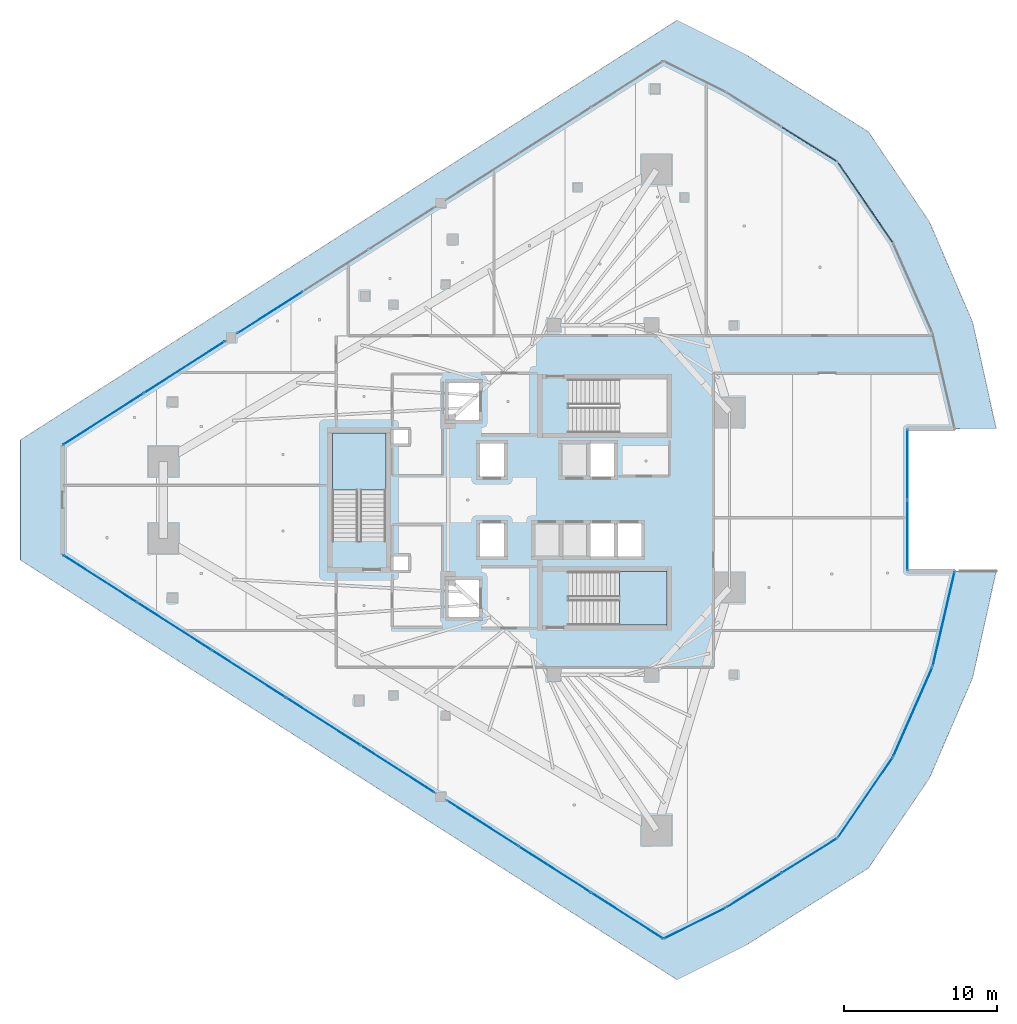
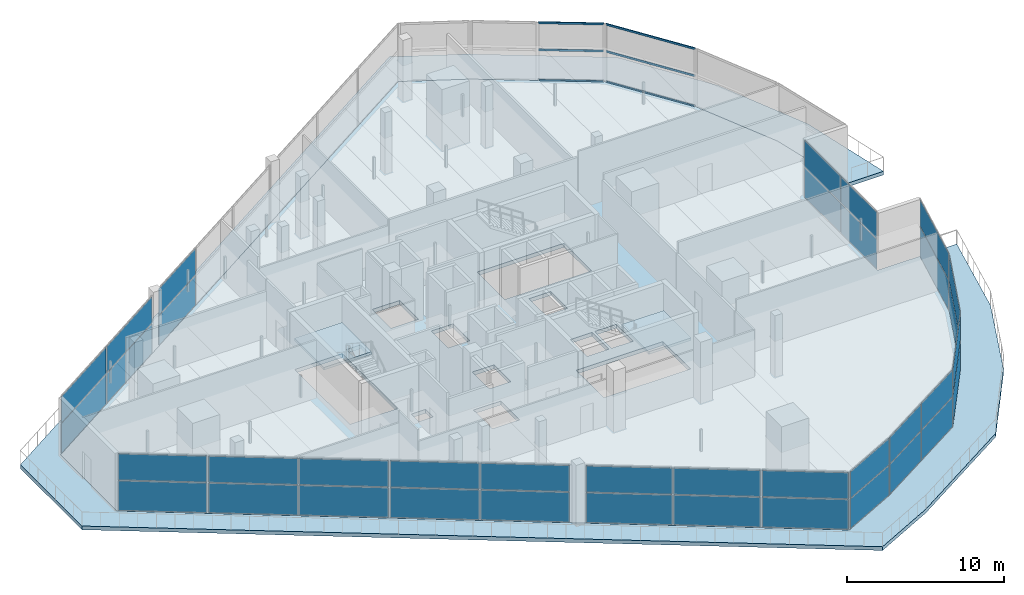
# One storey, part 22 of 36: 38 plates, 6 members, 4 slabs, 14 elements without a shape of their own.
"""IFC4 building model written with IfcOpenShell, lengths in metres."""

from ifc_helpers import new_model, si_unit, direction, frame, origin, origin_2d, place, context, subcontext, project, spatial, polyline, rectangle, hollow_rectangle, outline, extrude, material, layer, layer_set, material_profile, profile_set, type_object, element, aggregate, save


model = new_model("IFC4")

# Units and contexts
model_context = context("Model", 3, precision=1e-05, world=origin(), true_north=direction((0.0, 1.0)))
body_context = subcontext(model_context, "Body", "Model", "MODEL_VIEW")
ifc_project = project(units=[si_unit("LENGTHUNIT", "METRE"), si_unit("AREAUNIT", "SQUARE_METRE"), si_unit("VOLUMEUNIT", "CUBIC_METRE"), si_unit("PLANEANGLEUNIT", "RADIAN"), si_unit("MASSUNIT", "GRAM", prefix="KILO")], contexts=[model_context])

# Site, building, storey
site_placement = place(None, origin())
site = spatial("IfcSite", under=ifc_project, at=site_placement, CompositionType="ELEMENT")
building_placement = place(site_placement, origin())
building = spatial("IfcBuilding", under=site, at=building_placement, Name="Qorvath Tower", CompositionType="ELEMENT")
storey_placement = place(building_placement, frame((0.0, 0.0, 180.0)))
storey = spatial("IfcBuildingStorey", under=building, at=storey_placement, Name="L41", CompositionType="ELEMENT", Elevation=180.0)

# Curtain wall, members
ifc_material_1 = material(Name="Anodised aluminium and triple low-E glass", Category="aluminium")
ifc_layer_1 = layer(ifc_material_1, 0.179931640625)
ifc_layer_set_1 = layer_set([ifc_layer_1], Name="CW-SYS-5")
curtain_wall_type = type_object("IfcCurtainWallType", Name="CW-SYS-5", PredefinedType="NOTDEFINED", material=ifc_layer_set_1)
curtain_wall_1_placement = place(storey_placement, origin())
curtain_wall_1 = element("IfcCurtainWall", 1, at=curtain_wall_1_placement, inside=storey, type_object=curtain_wall_type, Name="Curtain Wall CW-5 CW-T-L41-13.1", PredefinedType="NOTDEFINED")
ifc_material_2 = material(Name="Anodised aluminium 6063-T6", Category="aluminium")
ifc_material_profile = material_profile(ifc_material_2, hollow_rectangle(XDim=0.06494140625, YDim=0.159912109375, WallThickness=0.00341796875, InnerFilletRadius=0.00341796875, OuterFilletRadius=0.007080078125, at=origin_2d()), Name="CWT 160x65")
ifc_profile_set = profile_set([ifc_material_profile], Name="Anodised aluminium 6063-T6")
member_type = type_object("IfcMemberType", Name="CWT-160", PredefinedType="USERDEFINED", material=ifc_profile_set)
member_1_placement = place(storey_placement, frame((-1.420654296875, 16.89453125, 0.032470703125), z_axis=(-0.564409705697, 0.825494811683, 0.0), x_axis=(-0.825494811683, -0.564409705697, 0.0)))
member_1 = element("IfcMember", 2, at=member_1_placement, type_object=member_type, Name="CW-5 transom 1.1", ObjectType="TRANSOM", PredefinedType="USERDEFINED", context=body_context, shape_type="SweptSolid", body=[
    extrude(hollow_rectangle(XDim=0.06494140625, YDim=0.159912109375, WallThickness=0.00341796875, InnerFilletRadius=0.00341796875, OuterFilletRadius=0.007080078125, at=origin_2d()), origin(), (0.0, 0.0, 1.0), 6.28857421875),
])
member_2_placement = place(storey_placement, frame((-1.420654296875, 16.89453125, 2.39990234375), z_axis=(-0.564409705697, 0.825494811683, 0.0), x_axis=(-0.825494811683, -0.564409705697, 0.0)))
member_2 = element("IfcMember", 3, at=member_2_placement, type_object=member_type, Name="CW-5 transom 1.2", ObjectType="TRANSOM", PredefinedType="USERDEFINED", context=body_context, shape_type="SweptSolid", body=[
    extrude(hollow_rectangle(XDim=0.06494140625, YDim=0.159912109375, WallThickness=0.00341796875, InnerFilletRadius=0.00341796875, OuterFilletRadius=0.007080078125, at=origin_2d()), origin(), (0.0, 0.0, 1.0), 6.28857421875),
])
member_3_placement = place(storey_placement, frame((-1.420654296875, 16.89453125, 4.49755859375), z_axis=(-0.564409705697, 0.825494811683, 0.0), x_axis=(-0.825494811683, -0.564409705697, 0.0)))
member_3 = element("IfcMember", 4, at=member_3_placement, type_object=member_type, Name="CW-5 transom 1.3", ObjectType="TRANSOM", PredefinedType="USERDEFINED", context=body_context, shape_type="SweptSolid", body=[
    extrude(hollow_rectangle(XDim=0.06494140625, YDim=0.159912109375, WallThickness=0.00341796875, InnerFilletRadius=0.00341796875, OuterFilletRadius=0.007080078125, at=origin_2d()), origin(), (0.0, 0.0, 1.0), 6.28857421875),
])
aggregate(curtain_wall_1, [member_1, member_2, member_3])

curtain_wall_2_placement = place(storey_placement, origin())
curtain_wall_2 = element("IfcCurtainWall", 5, at=curtain_wall_2_placement, inside=storey, type_object=curtain_wall_type, Name="Curtain Wall CW-5 CW-T-L41-14.1", PredefinedType="NOTDEFINED")
member_4_placement = place(storey_placement, frame((-5.075927734375, 22.187255859375, 0.032470703125), z_axis=(-0.848427140376, 0.529312183378, 0.0), x_axis=(-0.529312183378, -0.848427140376, 0.0)))
member_4 = element("IfcMember", 6, at=member_4_placement, type_object=member_type, Name="CW-5 transom 1.1", ObjectType="TRANSOM", PredefinedType="USERDEFINED", context=body_context, shape_type="SweptSolid", body=[
    extrude(hollow_rectangle(XDim=0.06494140625, YDim=0.159912109375, WallThickness=0.00341796875, InnerFilletRadius=0.00341796875, OuterFilletRadius=0.007080078125, at=origin_2d()), origin(), (0.0, 0.0, 1.0), 4.187255859375),
])
member_5_placement = place(storey_placement, frame((-5.075927734375, 22.187255859375, 2.39990234375), z_axis=(-0.848427140376, 0.529312183378, 0.0), x_axis=(-0.529312183378, -0.848427140376, 0.0)))
member_5 = element("IfcMember", 7, at=member_5_placement, type_object=member_type, Name="CW-5 transom 1.2", ObjectType="TRANSOM", PredefinedType="USERDEFINED", context=body_context, shape_type="SweptSolid", body=[
    extrude(hollow_rectangle(XDim=0.06494140625, YDim=0.159912109375, WallThickness=0.00341796875, InnerFilletRadius=0.00341796875, OuterFilletRadius=0.007080078125, at=origin_2d()), origin(), (0.0, 0.0, 1.0), 4.187255859375),
])
member_6_placement = place(storey_placement, frame((-5.075927734375, 22.187255859375, 4.49755859375), z_axis=(-0.848427140376, 0.529312183378, 0.0), x_axis=(-0.529312183378, -0.848427140376, 0.0)))
member_6 = element("IfcMember", 8, at=member_6_placement, type_object=member_type, Name="CW-5 transom 1.3", ObjectType="TRANSOM", PredefinedType="USERDEFINED", context=body_context, shape_type="SweptSolid", body=[
    extrude(hollow_rectangle(XDim=0.06494140625, YDim=0.159912109375, WallThickness=0.00341796875, InnerFilletRadius=0.00341796875, OuterFilletRadius=0.007080078125, at=origin_2d()), origin(), (0.0, 0.0, 1.0), 4.187255859375),
])
aggregate(curtain_wall_2, [member_4, member_5, member_6])

# Curtain wall, plates
curtain_wall_3_placement = place(storey_placement, origin())
curtain_wall_3 = element("IfcCurtainWall", 9, at=curtain_wall_3_placement, inside=storey, type_object=curtain_wall_type, Name="Curtain Wall CW-5 CW-T-L41-2.1", PredefinedType="NOTDEFINED")
ifc_material_3 = material(Name="Low-E triple insulated glass", Category="glass")
ifc_layer_2 = layer(ifc_material_3, 0.031982421875)
ifc_layer_set_2 = layer_set([ifc_layer_2], Name="CWP-GLZ-32")
plate_type = type_object("IfcPlateType", Name="CWP-GLZ-32", PredefinedType="CURTAIN_PANEL", material=ifc_layer_set_2)
plate_1_placement = place(storey_placement, frame((-53.32470703125, -5.1630859375, 0.06494140625), z_axis=(0.0, 0.0, 1.0), x_axis=(0.842604220747, -0.538533311115, 0.0)))
plate_1 = element("IfcPlate", 10, at=plate_1_placement, type_object=plate_type, Name="CW-5 panel 1.1", PredefinedType="CURTAIN_PANEL", context=body_context, shape_type="SweptSolid", body=[
    extrude(rectangle(XDim=5.677490234375, YDim=0.031982421875, at=origin_2d()), origin(), (0.0, 0.0, 1.0), 2.302490234375),
])
plate_2_placement = place(storey_placement, frame((-53.32470703125, -5.1630859375, 2.432373046875), z_axis=(0.0, 0.0, 1.0), x_axis=(0.842604220747, -0.538533311115, 0.0)))
plate_2 = element("IfcPlate", 11, at=plate_2_placement, type_object=plate_type, Name="CW-5 panel 1.2", PredefinedType="CURTAIN_PANEL", context=body_context, shape_type="SweptSolid", body=[
    extrude(rectangle(XDim=5.677490234375, YDim=0.031982421875, at=origin_2d()), origin(), (0.0, 0.0, 1.0), 2.03271484375),
])
plate_3_placement = place(storey_placement, frame((-48.461669921875, -8.271240234375, 0.06494140625), z_axis=(0.0, 0.0, 1.0), x_axis=(0.842604220747, -0.538533311115, 0.0)))
plate_3 = element("IfcPlate", 12, at=plate_3_placement, type_object=plate_type, Name="CW-5 panel 2.1", PredefinedType="CURTAIN_PANEL", context=body_context, shape_type="SweptSolid", body=[
    extrude(rectangle(XDim=5.715087890625, YDim=0.031982421875, at=origin_2d()), origin(), (0.0, 0.0, 1.0), 2.302490234375),
])
plate_4_placement = place(storey_placement, frame((-48.461669921875, -8.271240234375, 2.432373046875), z_axis=(0.0, 0.0, 1.0), x_axis=(0.842604220747, -0.538533311115, 0.0)))
plate_4 = element("IfcPlate", 13, at=plate_4_placement, type_object=plate_type, Name="CW-5 panel 2.2", PredefinedType="CURTAIN_PANEL", context=body_context, shape_type="SweptSolid", body=[
    extrude(rectangle(XDim=5.715087890625, YDim=0.031982421875, at=origin_2d()), origin(), (0.0, 0.0, 1.0), 2.03271484375),
])
plate_5_placement = place(storey_placement, frame((-43.5830078125, -11.389404296875, 0.06494140625), z_axis=(0.0, 0.0, 1.0), x_axis=(0.842604220747, -0.538533311115, 0.0)))
plate_5 = element("IfcPlate", 14, at=plate_5_placement, type_object=plate_type, Name="CW-5 panel 3.1", PredefinedType="CURTAIN_PANEL", context=body_context, shape_type="SweptSolid", body=[
    extrude(rectangle(XDim=5.715087890625, YDim=0.031982421875, at=origin_2d()), origin(), (0.0, 0.0, 1.0), 2.302490234375),
])
plate_6_placement = place(storey_placement, frame((-43.5830078125, -11.389404296875, 2.432373046875), z_axis=(0.0, 0.0, 1.0), x_axis=(0.842604220747, -0.538533311115, 0.0)))
plate_6 = element("IfcPlate", 15, at=plate_6_placement, type_object=plate_type, Name="CW-5 panel 3.2", PredefinedType="CURTAIN_PANEL", context=body_context, shape_type="SweptSolid", body=[
    extrude(rectangle(XDim=5.715087890625, YDim=0.031982421875, at=origin_2d()), origin(), (0.0, 0.0, 1.0), 2.03271484375),
])
plate_7_placement = place(storey_placement, frame((-38.7041015625, -14.507568359375, 0.06494140625), z_axis=(0.0, 0.0, 1.0), x_axis=(0.842604220747, -0.538533311115, 0.0)))
plate_7 = element("IfcPlate", 16, at=plate_7_placement, type_object=plate_type, Name="CW-5 panel 4.1", PredefinedType="CURTAIN_PANEL", context=body_context, shape_type="SweptSolid", body=[
    extrude(rectangle(XDim=5.715087890625, YDim=0.031982421875, at=origin_2d()), origin(), (0.0, 0.0, 1.0), 2.302490234375),
])
plate_8_placement = place(storey_placement, frame((-38.7041015625, -14.507568359375, 2.432373046875), z_axis=(0.0, 0.0, 1.0), x_axis=(0.842604220747, -0.538533311115, 0.0)))
plate_8 = element("IfcPlate", 17, at=plate_8_placement, type_object=plate_type, Name="CW-5 panel 4.2", PredefinedType="CURTAIN_PANEL", context=body_context, shape_type="SweptSolid", body=[
    extrude(rectangle(XDim=5.715087890625, YDim=0.031982421875, at=origin_2d()), origin(), (0.0, 0.0, 1.0), 2.03271484375),
])
plate_9_placement = place(storey_placement, frame((-33.841064453125, -17.61572265625, 0.06494140625), z_axis=(0.0, 0.0, 1.0), x_axis=(0.842604220747, -0.538533311115, 0.0)))
plate_9 = element("IfcPlate", 18, at=plate_9_placement, type_object=plate_type, Name="CW-5 panel 5.1", PredefinedType="CURTAIN_PANEL", context=body_context, shape_type="SweptSolid", body=[
    extrude(rectangle(XDim=5.677490234375, YDim=0.031982421875, at=origin_2d()), origin(), (0.0, 0.0, 1.0), 2.302490234375),
])
plate_10_placement = place(storey_placement, frame((-33.841064453125, -17.61572265625, 2.432373046875), z_axis=(0.0, 0.0, 1.0), x_axis=(0.842604220747, -0.538533311115, 0.0)))
plate_10 = element("IfcPlate", 19, at=plate_10_placement, type_object=plate_type, Name="CW-5 panel 5.2", PredefinedType="CURTAIN_PANEL", context=body_context, shape_type="SweptSolid", body=[
    extrude(rectangle(XDim=5.677490234375, YDim=0.031982421875, at=origin_2d()), origin(), (0.0, 0.0, 1.0), 2.03271484375),
])
aggregate(curtain_wall_3, [plate_1, plate_2, plate_3, plate_4, plate_5, plate_6, plate_7, plate_8, plate_9, plate_10])

curtain_wall_4_placement = place(storey_placement, origin())
curtain_wall_4 = element("IfcCurtainWall", 20, at=curtain_wall_4_placement, inside=storey, type_object=curtain_wall_type, Name="Curtain Wall CW-5 CW-T-L41-2.2", PredefinedType="NOTDEFINED")
plate_11_placement = place(storey_placement, frame((-28.258544921875, -21.18359375, 0.06494140625), z_axis=(0.0, 0.0, 1.0), x_axis=(0.842597295183, -0.538544146891, 0.0)))
plate_11 = element("IfcPlate", 21, at=plate_11_placement, type_object=plate_type, Name="CW-5 panel 1.1", PredefinedType="CURTAIN_PANEL", context=body_context, shape_type="SweptSolid", body=[
    extrude(rectangle(XDim=5.51708984375, YDim=0.031982421875, at=origin_2d()), origin(), (0.0, 0.0, 1.0), 2.302490234375),
])
plate_12_placement = place(storey_placement, frame((-28.258544921875, -21.18359375, 2.432373046875), z_axis=(0.0, 0.0, 1.0), x_axis=(0.842597295183, -0.538544146891, 0.0)))
plate_12 = element("IfcPlate", 22, at=plate_12_placement, type_object=plate_type, Name="CW-5 panel 1.2", PredefinedType="CURTAIN_PANEL", context=body_context, shape_type="SweptSolid", body=[
    extrude(rectangle(XDim=5.51708984375, YDim=0.031982421875, at=origin_2d()), origin(), (0.0, 0.0, 1.0), 2.03271484375),
])
plate_13_placement = place(storey_placement, frame((-23.531005859375, -24.205322265625, 0.06494140625), z_axis=(0.0, 0.0, 1.0), x_axis=(0.842597295183, -0.538544146891, 0.0)))
plate_13 = element("IfcPlate", 23, at=plate_13_placement, type_object=plate_type, Name="CW-5 panel 2.1", PredefinedType="CURTAIN_PANEL", context=body_context, shape_type="SweptSolid", body=[
    extrude(rectangle(XDim=5.554443359375, YDim=0.031982421875, at=origin_2d()), origin(), (0.0, 0.0, 1.0), 2.302490234375),
])
plate_14_placement = place(storey_placement, frame((-23.531005859375, -24.205322265625, 2.432373046875), z_axis=(0.0, 0.0, 1.0), x_axis=(0.842597295183, -0.538544146891, 0.0)))
plate_14 = element("IfcPlate", 24, at=plate_14_placement, type_object=plate_type, Name="CW-5 panel 2.2", PredefinedType="CURTAIN_PANEL", context=body_context, shape_type="SweptSolid", body=[
    extrude(rectangle(XDim=5.554443359375, YDim=0.031982421875, at=origin_2d()), origin(), (0.0, 0.0, 1.0), 2.03271484375),
])
plate_15_placement = place(storey_placement, frame((-18.80322265625, -27.22705078125, 0.06494140625), z_axis=(0.0, 0.0, 1.0), x_axis=(0.842597295183, -0.538544146891, 0.0)))
plate_15 = element("IfcPlate", 25, at=plate_15_placement, type_object=plate_type, Name="CW-5 panel 3.1", PredefinedType="CURTAIN_PANEL", context=body_context, shape_type="SweptSolid", body=[
    extrude(rectangle(XDim=5.51708984375, YDim=0.031982421875, at=origin_2d()), origin(), (0.0, 0.0, 1.0), 2.302490234375),
])
plate_16_placement = place(storey_placement, frame((-18.80322265625, -27.22705078125, 2.432373046875), z_axis=(0.0, 0.0, 1.0), x_axis=(0.842597295183, -0.538544146891, 0.0)))
plate_16 = element("IfcPlate", 26, at=plate_16_placement, type_object=plate_type, Name="CW-5 panel 3.2", PredefinedType="CURTAIN_PANEL", context=body_context, shape_type="SweptSolid", body=[
    extrude(rectangle(XDim=5.51708984375, YDim=0.031982421875, at=origin_2d()), origin(), (0.0, 0.0, 1.0), 2.03271484375),
])
aggregate(curtain_wall_4, [plate_11, plate_12, plate_13, plate_14, plate_15, plate_16])

curtain_wall_5_placement = place(storey_placement, origin())
curtain_wall_5 = element("IfcCurtainWall", 27, at=curtain_wall_5_placement, inside=storey, type_object=curtain_wall_type, Name="Curtain Wall CW-5 CW-T-L41-3.1", PredefinedType="NOTDEFINED")
plate_17_placement = place(storey_placement, frame((-14.362060546875, -27.72607421875, 0.06494140625), z_axis=(0.0, 0.0, 1.0), x_axis=(0.894440255455, 0.447187465635, 0.0)))
plate_17 = element("IfcPlate", 28, at=plate_17_placement, type_object=plate_type, Name="CW-5 panel 1.1", PredefinedType="CURTAIN_PANEL", context=body_context, shape_type="SweptSolid", body=[
    extrude(rectangle(XDim=4.4423828125, YDim=0.031982421875, at=origin_2d()), origin(), (0.0, 0.0, 1.0), 2.302490234375),
])
plate_18_placement = place(storey_placement, frame((-14.362060546875, -27.72607421875, 2.432373046875), z_axis=(0.0, 0.0, 1.0), x_axis=(0.894440255455, 0.447187465635, 0.0)))
plate_18 = element("IfcPlate", 29, at=plate_18_placement, type_object=plate_type, Name="CW-5 panel 1.2", PredefinedType="CURTAIN_PANEL", context=body_context, shape_type="SweptSolid", body=[
    extrude(rectangle(XDim=4.4423828125, YDim=0.031982421875, at=origin_2d()), origin(), (0.0, 0.0, 1.0), 2.03271484375),
])
aggregate(curtain_wall_5, [plate_17, plate_18])

curtain_wall_6_placement = place(storey_placement, origin())
curtain_wall_6 = element("IfcCurtainWall", 30, at=curtain_wall_6_placement, inside=storey, type_object=curtain_wall_type, Name="Curtain Wall CW-5 CW-T-L41-4.1", PredefinedType="NOTDEFINED")
plate_19_placement = place(storey_placement, frame((-10.46826171875, -25.55126953125, 0.06494140625), z_axis=(0.0, 0.0, 1.0), x_axis=(0.848428552633, 0.529309919685, 0.0)))
plate_19 = element("IfcPlate", 31, at=plate_19_placement, type_object=plate_type, Name="CW-5 panel 1.1", PredefinedType="CURTAIN_PANEL", context=body_context, shape_type="SweptSolid", body=[
    extrude(rectangle(XDim=4.187255859375, YDim=0.031982421875, at=origin_2d()), origin(), (0.0, 0.0, 1.0), 2.302490234375),
])
plate_20_placement = place(storey_placement, frame((-10.46826171875, -25.55126953125, 2.432373046875), z_axis=(0.0, 0.0, 1.0), x_axis=(0.848428552633, 0.529309919685, 0.0)))
plate_20 = element("IfcPlate", 32, at=plate_20_placement, type_object=plate_type, Name="CW-5 panel 1.2", PredefinedType="CURTAIN_PANEL", context=body_context, shape_type="SweptSolid", body=[
    extrude(rectangle(XDim=4.187255859375, YDim=0.031982421875, at=origin_2d()), origin(), (0.0, 0.0, 1.0), 2.03271484375),
])
plate_21_placement = place(storey_placement, frame((-6.85205078125, -23.29541015625, 0.06494140625), z_axis=(0.0, 0.0, 1.0), x_axis=(0.848428552633, 0.529309919685, 0.0)))
plate_21 = element("IfcPlate", 33, at=plate_21_placement, type_object=plate_type, Name="CW-5 panel 2.1", PredefinedType="CURTAIN_PANEL", context=body_context, shape_type="SweptSolid", body=[
    extrude(rectangle(XDim=4.187255859375, YDim=0.031982421875, at=origin_2d()), origin(), (0.0, 0.0, 1.0), 2.302490234375),
])
plate_22_placement = place(storey_placement, frame((-6.85205078125, -23.29541015625, 2.432373046875), z_axis=(0.0, 0.0, 1.0), x_axis=(0.848428552633, 0.529309919685, 0.0)))
plate_22 = element("IfcPlate", 34, at=plate_22_placement, type_object=plate_type, Name="CW-5 panel 2.2", PredefinedType="CURTAIN_PANEL", context=body_context, shape_type="SweptSolid", body=[
    extrude(rectangle(XDim=4.187255859375, YDim=0.031982421875, at=origin_2d()), origin(), (0.0, 0.0, 1.0), 2.03271484375),
])
aggregate(curtain_wall_6, [plate_19, plate_20, plate_21, plate_22])

curtain_wall_7_placement = place(storey_placement, origin())
curtain_wall_7 = element("IfcCurtainWall", 35, at=curtain_wall_7_placement, inside=storey, type_object=curtain_wall_type, Name="Curtain Wall CW-5 CW-T-L41-5.1", PredefinedType="NOTDEFINED")
plate_23_placement = place(storey_placement, frame((-3.1953125, -19.489990234375, 0.06494140625), z_axis=(0.0, 0.0, 1.0), x_axis=(0.564389891595, 0.825508358689, 0.0)))
plate_23 = element("IfcPlate", 36, at=plate_23_placement, type_object=plate_type, Name="CW-5 panel 1.1", PredefinedType="CURTAIN_PANEL", context=body_context, shape_type="SweptSolid", body=[
    extrude(rectangle(XDim=6.28857421875, YDim=0.031982421875, at=origin_2d()), origin(), (0.0, 0.0, 1.0), 2.302490234375),
])
plate_24_placement = place(storey_placement, frame((-3.1953125, -19.489990234375, 2.432373046875), z_axis=(0.0, 0.0, 1.0), x_axis=(0.564389891595, 0.825508358689, 0.0)))
plate_24 = element("IfcPlate", 37, at=plate_24_placement, type_object=plate_type, Name="CW-5 panel 1.2", PredefinedType="CURTAIN_PANEL", context=body_context, shape_type="SweptSolid", body=[
    extrude(rectangle(XDim=6.28857421875, YDim=0.031982421875, at=origin_2d()), origin(), (0.0, 0.0, 1.0), 2.03271484375),
])
aggregate(curtain_wall_7, [plate_23, plate_24])

curtain_wall_8_placement = place(storey_placement, origin())
curtain_wall_8 = element("IfcCurtainWall", 38, at=curtain_wall_8_placement, inside=storey, type_object=curtain_wall_type, Name="Curtain Wall CW-5 CW-T-L41-6.1", PredefinedType="NOTDEFINED")
plate_25_placement = place(storey_placement, frame((-0.083984375, -13.885009765625, 0.06494140625), z_axis=(0.0, 0.0, 1.0), x_axis=(0.402061841186, 0.915612514038, 0.0)))
plate_25 = element("IfcPlate", 39, at=plate_25_placement, type_object=plate_type, Name="CW-5 panel 1.1", PredefinedType="CURTAIN_PANEL", context=body_context, shape_type="SweptSolid", body=[
    extrude(rectangle(XDim=6.288330078125, YDim=0.031982421875, at=origin_2d()), origin(), (0.0, 0.0, 1.0), 2.302490234375),
])
plate_26_placement = place(storey_placement, frame((-0.083984375, -13.885009765625, 2.432373046875), z_axis=(0.0, 0.0, 1.0), x_axis=(0.402061841186, 0.915612514038, 0.0)))
plate_26 = element("IfcPlate", 40, at=plate_26_placement, type_object=plate_type, Name="CW-5 panel 1.2", PredefinedType="CURTAIN_PANEL", context=body_context, shape_type="SweptSolid", body=[
    extrude(rectangle(XDim=6.288330078125, YDim=0.031982421875, at=origin_2d()), origin(), (0.0, 0.0, 1.0), 2.03271484375),
])
aggregate(curtain_wall_8, [plate_25, plate_26])

curtain_wall_9_placement = place(storey_placement, origin())
curtain_wall_9 = element("IfcCurtainWall", 41, at=curtain_wall_9_placement, inside=storey, type_object=curtain_wall_type, Name="Curtain Wall CW-5 CW-T-L41-7.1", PredefinedType="NOTDEFINED")
plate_27_placement = place(storey_placement, frame((1.9375, -7.801513671875, 0.06494140625), z_axis=(0.0, 0.0, 1.0), x_axis=(0.2259233779, 0.974145075088, 0.0)))
plate_27 = element("IfcPlate", 42, at=plate_27_placement, type_object=plate_type, Name="CW-5 panel 1.1", PredefinedType="CURTAIN_PANEL", context=body_context, shape_type="SweptSolid", body=[
    extrude(rectangle(XDim=6.28857421875, YDim=0.031982421875, at=origin_2d()), origin(), (0.0, 0.0, 1.0), 2.302490234375),
])
plate_28_placement = place(storey_placement, frame((1.9375, -7.801513671875, 2.432373046875), z_axis=(0.0, 0.0, 1.0), x_axis=(0.2259233779, 0.974145075088, 0.0)))
plate_28 = element("IfcPlate", 43, at=plate_28_placement, type_object=plate_type, Name="CW-5 panel 1.2", PredefinedType="CURTAIN_PANEL", context=body_context, shape_type="SweptSolid", body=[
    extrude(rectangle(XDim=6.28857421875, YDim=0.031982421875, at=origin_2d()), origin(), (0.0, 0.0, 1.0), 2.03271484375),
])
aggregate(curtain_wall_9, [plate_27, plate_28])

curtain_wall_10_placement = place(storey_placement, origin())
curtain_wall_10 = element("IfcCurtainWall", 44, at=curtain_wall_10_placement, inside=storey, type_object=curtain_wall_type, Name="Curtain Wall CW-5 CW-T-L41-9.1", PredefinedType="NOTDEFINED")
plate_29_placement = place(storey_placement, frame((-0.445556640625, -2.31396484375, 0.06494140625), z_axis=(0.0, 0.0, 1.0), x_axis=(0.0, 1.0, 0.0)))
plate_29 = element("IfcPlate", 45, at=plate_29_placement, type_object=plate_type, Name="CW-5 panel 1.1", PredefinedType="CURTAIN_PANEL", context=body_context, shape_type="SweptSolid", body=[
    extrude(rectangle(XDim=4.552978515625, YDim=0.031982421875, at=origin_2d()), origin(), (0.0, 0.0, 1.0), 2.302490234375),
])
plate_30_placement = place(storey_placement, frame((-0.445556640625, -2.31396484375, 2.432373046875), z_axis=(0.0, 0.0, 1.0), x_axis=(0.0, 1.0, 0.0)))
plate_30 = element("IfcPlate", 46, at=plate_30_placement, type_object=plate_type, Name="CW-5 panel 1.2", PredefinedType="CURTAIN_PANEL", context=body_context, shape_type="SweptSolid", body=[
    extrude(rectangle(XDim=4.552978515625, YDim=0.031982421875, at=origin_2d()), origin(), (0.0, 0.0, 1.0), 2.03271484375),
])
plate_31_placement = place(storey_placement, frame((-0.445556640625, 2.31396484375, 0.06494140625), z_axis=(0.0, 0.0, 1.0), x_axis=(0.0, 1.0, 0.0)))
plate_31 = element("IfcPlate", 47, at=plate_31_placement, type_object=plate_type, Name="CW-5 panel 2.1", PredefinedType="CURTAIN_PANEL", context=body_context, shape_type="SweptSolid", body=[
    extrude(rectangle(XDim=4.552978515625, YDim=0.031982421875, at=origin_2d()), origin(), (0.0, 0.0, 1.0), 2.302490234375),
])
plate_32_placement = place(storey_placement, frame((-0.445556640625, 2.31396484375, 2.432373046875), z_axis=(0.0, 0.0, 1.0), x_axis=(0.0, 1.0, 0.0)))
plate_32 = element("IfcPlate", 48, at=plate_32_placement, type_object=plate_type, Name="CW-5 panel 2.2", PredefinedType="CURTAIN_PANEL", context=body_context, shape_type="SweptSolid", body=[
    extrude(rectangle(XDim=4.552978515625, YDim=0.031982421875, at=origin_2d()), origin(), (0.0, 0.0, 1.0), 2.03271484375),
])
aggregate(curtain_wall_10, [plate_29, plate_30, plate_31, plate_32])

curtain_wall_11_placement = place(storey_placement, origin())
curtain_wall_11 = element("IfcCurtainWall", 49, at=curtain_wall_11_placement, inside=storey, type_object=curtain_wall_type, Name="Curtain Wall CW-5 CW-T-L41-16.2", PredefinedType="NOTDEFINED")
plate_33_placement = place(storey_placement, frame((-42.18701171875, 12.281494140625, 0.06494140625), z_axis=(0.0, 0.0, 1.0), x_axis=(-0.842602165497, -0.538536526802, 0.0)))
plate_33 = element("IfcPlate", 50, at=plate_33_placement, type_object=plate_type, Name="CW-5 panel 3.1", PredefinedType="CURTAIN_PANEL", context=body_context, shape_type="SweptSolid", body=[
    extrude(rectangle(XDim=5.0224609375, YDim=0.031982421875, at=origin_2d()), origin(), (0.0, 0.0, 1.0), 2.302490234375),
])
plate_34_placement = place(storey_placement, frame((-42.18701171875, 12.281494140625, 2.432373046875), z_axis=(0.0, 0.0, 1.0), x_axis=(-0.842602165497, -0.538536526802, 0.0)))
plate_34 = element("IfcPlate", 51, at=plate_34_placement, type_object=plate_type, Name="CW-5 panel 3.2", PredefinedType="CURTAIN_PANEL", context=body_context, shape_type="SweptSolid", body=[
    extrude(rectangle(XDim=5.0224609375, YDim=0.031982421875, at=origin_2d()), origin(), (0.0, 0.0, 1.0), 2.03271484375),
])
aggregate(curtain_wall_11, [plate_33, plate_34])

curtain_wall_12_placement = place(storey_placement, origin())
curtain_wall_12 = element("IfcCurtainWall", 52, at=curtain_wall_12_placement, inside=storey, type_object=curtain_wall_type, Name="Curtain Wall CW-5 CW-T-L41-16.3", PredefinedType="NOTDEFINED")
plate_35_placement = place(storey_placement, frame((-47.790283203125, 8.7001953125, 0.06494140625), z_axis=(0.0, 0.0, 1.0), x_axis=(-0.842604717155, -0.53853253442, 0.0)))
plate_35 = element("IfcPlate", 53, at=plate_35_placement, type_object=plate_type, Name="CW-5 panel 1.1", PredefinedType="CURTAIN_PANEL", context=body_context, shape_type="SweptSolid", body=[
    extrude(rectangle(XDim=6.22119140625, YDim=0.031982421875, at=origin_2d()), origin(), (0.0, 0.0, 1.0), 2.302490234375),
])
plate_36_placement = place(storey_placement, frame((-47.790283203125, 8.7001953125, 2.432373046875), z_axis=(0.0, 0.0, 1.0), x_axis=(-0.842604717155, -0.53853253442, 0.0)))
plate_36 = element("IfcPlate", 54, at=plate_36_placement, type_object=plate_type, Name="CW-5 panel 1.2", PredefinedType="CURTAIN_PANEL", context=body_context, shape_type="SweptSolid", body=[
    extrude(rectangle(XDim=6.22119140625, YDim=0.031982421875, at=origin_2d()), origin(), (0.0, 0.0, 1.0), 2.03271484375),
])
plate_37_placement = place(storey_placement, frame((-53.095703125, 5.3095703125, 0.06494140625), z_axis=(0.0, 0.0, 1.0), x_axis=(-0.842604717155, -0.53853253442, 0.0)))
plate_37 = element("IfcPlate", 55, at=plate_37_placement, type_object=plate_type, Name="CW-5 panel 2.1", PredefinedType="CURTAIN_PANEL", context=body_context, shape_type="SweptSolid", body=[
    extrude(rectangle(XDim=6.22119140625, YDim=0.031982421875, at=origin_2d()), origin(), (0.0, 0.0, 1.0), 2.302490234375),
])
plate_38_placement = place(storey_placement, frame((-53.095703125, 5.3095703125, 2.432373046875), z_axis=(0.0, 0.0, 1.0), x_axis=(-0.842604717155, -0.53853253442, 0.0)))
plate_38 = element("IfcPlate", 56, at=plate_38_placement, type_object=plate_type, Name="CW-5 panel 2.2", PredefinedType="CURTAIN_PANEL", context=body_context, shape_type="SweptSolid", body=[
    extrude(rectangle(XDim=6.22119140625, YDim=0.031982421875, at=origin_2d()), origin(), (0.0, 0.0, 1.0), 2.03271484375),
])
aggregate(curtain_wall_12, [plate_35, plate_36, plate_37, plate_38])

# Stair, slab
ifc_material_4 = material(Name="Concrete C50/60", Category="concrete")
stair_type = type_object("IfcStairType", Name="ST-H480", PredefinedType="HALF_TURN_STAIR", material=ifc_material_4)
stair_1_placement = place(storey_placement, origin())
stair_1 = element("IfcStair", 57, at=stair_1_placement, inside=storey, type_object=stair_type, Name="L41 Tower Exit Stair 2", PredefinedType="HALF_TURN_STAIR")
ifc_material_5 = material(Name="Concrete C50/60", Category="concrete")
ifc_layer_3 = layer(ifc_material_5, 0.199951171875)
ifc_layer_set_3 = layer_set([ifc_layer_3], Name="SL-LND-200")
slab_type_1 = type_object("IfcSlabType", Name="SL-LND-200", PredefinedType="LANDING", material=ifc_layer_set_3)
slab_1_placement = place(storey_placement, frame((0.0, 0.0, 2.199951171875)))
slab_1 = element("IfcSlab", 58, at=slab_1_placement, type_object=slab_type_1, Name="TS2 landing 1", PredefinedType="LANDING", context=body_context, shape_type="SweptSolid", body=[
    extrude(outline(polyline([(-19.31005859375, -8.199951171875), (-16.199951171875, -8.199951171875), (-16.199951171875, -4.68994140625), (-19.31005859375, -4.68994140625), (-19.31005859375, -8.199951171875)])), origin(), (0.0, 0.0, 1.0), 0.199951171875),
])
aggregate(stair_1, [slab_1])

stair_2_placement = place(storey_placement, origin())
stair_2 = element("IfcStair", 59, at=stair_2_placement, inside=storey, type_object=stair_type, Name="L41 Tower Exit Stair 3", PredefinedType="HALF_TURN_STAIR")
slab_2_placement = place(storey_placement, frame((0.0, 0.0, 2.199951171875)))
slab_2 = element("IfcSlab", 60, at=slab_2_placement, type_object=slab_type_1, Name="TS3 landing 1", PredefinedType="LANDING", context=body_context, shape_type="SweptSolid", body=[
    extrude(outline(polyline([(-34.60009765625, 0.639892578125), (-34.60009765625, 4.39990234375), (-38.110107421875, 4.39990234375), (-38.110107421875, 0.639892578125), (-34.60009765625, 0.639892578125)])), origin(), (0.0, 0.0, 1.0), 0.199951171875),
])
aggregate(stair_2, [slab_2])

# Slabs
ifc_material_6 = material(Name="Precast concrete C45/55", Category="concrete")
ifc_layer_4 = layer(ifc_material_6, 0.2900390625)
ifc_layer_set_4 = layer_set([ifc_layer_4], Name="SL-LOG-290")
slab_type_2 = type_object("IfcSlabType", Name="SL-LOG-290", PredefinedType="FLOOR", material=ifc_layer_set_4)
slab_3_placement = place(storey_placement, frame((0.0, 0.0, -0.2900390625)))
element("IfcSlab", 61, at=slab_3_placement, inside=storey, type_object=slab_type_2, Name="Tower L41 Perimeter Loggia and Terrace Slab", PredefinedType="FLOOR", context=body_context, shape_type="SweptSolid", body=[
    extrude(outline(polyline([(2.664794921875, -4.66552734375), (1.210205078125, -10.9375), (-1.37841796875, -16.83251953125), (-5.01220703125, -22.1474609375), (-12.30810546875, -26.69921875), (-16.415771484375, -28.7529296875), (-55.77978515625, -3.593994140625), (-55.77978515625, 3.593994140625), (-16.415771484375, 28.7529296875), (-12.30810546875, 26.69921875), (-5.01220703125, 22.1474609375), (-1.37841796875, 16.83251953125), (1.210205078125, 10.9375), (2.664794921875, 4.66552734375), (5.381103515625, 4.66552734375), (3.837158203125, 11.641357421875), (1.01171875, 18.203369140625), (-2.9951171875, 24.11865234375), (-11.03759765625, 29.1767578125), (-15.5263671875, 31.421142578125), (-58.543212890625, 3.927490234375), (-58.543212890625, -3.927490234375), (-15.5263671875, -31.421142578125), (-11.03759765625, -29.1767578125), (-2.9951171875, -24.11865234375), (1.01171875, -18.203369140625), (3.837158203125, -11.641357421875), (5.381103515625, -4.66552734375), (2.664794921875, -4.66552734375)])), origin(), (0.0, 0.0, 1.0), 0.2900390625),
])
ifc_material_7 = material(Name="Concrete C50/60", Category="concrete")
ifc_layer_5 = layer(ifc_material_7, 0.300048828125)
ifc_layer_set_5 = layer_set([ifc_layer_5], Name="SL-PLANT-300")
slab_type_3 = type_object("IfcSlabType", Name="SL-PLANT-300", PredefinedType="FLOOR", material=ifc_layer_set_5)
slab_4_placement = place(storey_placement, frame((0.0, 0.0, -0.300048828125)))
element("IfcSlab", 62, at=slab_4_placement, inside=storey, type_object=slab_type_3, Name="Tower L41 Interior Floor Slab", PredefinedType="FLOOR", context=body_context, shape_type="SweptSolid", body=[
    extrude(outline(polyline([(-55.77978515625, 3.593994140625), (-55.77978515625, -3.593994140625), (-16.415771484375, -28.7529296875), (-12.30810546875, -26.69921875), (-5.01220703125, -22.1474609375), (-1.37841796875, -16.83251953125), (1.210205078125, -10.9375), (2.664794921875, -4.66552734375), (-0.445556640625, -4.66552734375), (-0.445556640625, 4.66552734375), (2.664794921875, 4.66552734375), (1.210205078125, 10.9375), (-1.37841796875, 16.83251953125), (-5.01220703125, 22.1474609375), (-12.30810546875, 26.69921875), (-16.415771484375, 28.7529296875), (-55.77978515625, 3.593994140625)]), holes=[polyline([(-16.2451171875, -8.199951171875), (-22.625, -8.199951171875), (-22.625, -4.68994140625), (-16.2451171875, -4.68994140625), (-16.2451171875, -8.199951171875)]), polyline([(-22.625, 4.39990234375), (-22.625, 7.909912109375), (-16.2451171875, 7.909912109375), (-16.2451171875, 4.39990234375), (-22.625, 4.39990234375)]), polyline([(-17.85009765625, -3.699951171875), (-19.449951171875, -3.699951171875), (-19.449951171875, -1.550048828125), (-17.85009765625, -1.550048828125), (-17.85009765625, -3.699951171875)]), polyline([(-21.25, -3.699951171875), (-21.25, -1.550048828125), (-19.64990234375, -1.550048828125), (-19.64990234375, -3.699951171875), (-21.25, -3.699951171875)]), polyline([(-21.25, 1.550048828125), (-21.25, 3.699951171875), (-19.64990234375, 3.699951171875), (-19.64990234375, 1.550048828125), (-21.25, 1.550048828125)]), polyline([(-28.449951171875, -3.699951171875), (-28.449951171875, -1.550048828125), (-26.85009765625, -1.550048828125), (-26.85009765625, -3.699951171875), (-28.449951171875, -3.699951171875)]), polyline([(-26.85009765625, 1.550048828125), (-28.449951171875, 1.550048828125), (-28.449951171875, 3.699951171875), (-26.85009765625, 3.699951171875), (-26.85009765625, 1.550048828125)]), polyline([(-28.5, -7.64990234375), (-30.5, -7.64990234375), (-30.5, -5.25), (-28.5, -5.25), (-28.5, -7.64990234375)]), polyline([(-30.5, 5.25), (-30.5, 7.64990234375), (-28.5, 7.64990234375), (-28.5, 5.25), (-30.5, 5.25)]), polyline([(-34.14990234375, -4.6201171875), (-34.14990234375, -3.64990234375), (-33.10009765625, -3.64990234375), (-33.10009765625, -4.6201171875), (-34.14990234375, -4.6201171875)]), polyline([(-34.14990234375, 3.64990234375), (-34.14990234375, 4.6201171875), (-33.10009765625, 4.6201171875), (-33.10009765625, 3.64990234375), (-34.14990234375, 3.64990234375)]), polyline([(-34.60009765625, -2.675048828125), (-38.110107421875, -2.675048828125), (-38.110107421875, 4.35498046875), (-34.60009765625, 4.35498046875), (-34.60009765625, -2.675048828125)])]), origin(), (0.0, 0.0, 1.0), 0.300048828125),
])

save(model, "model.ifc")
